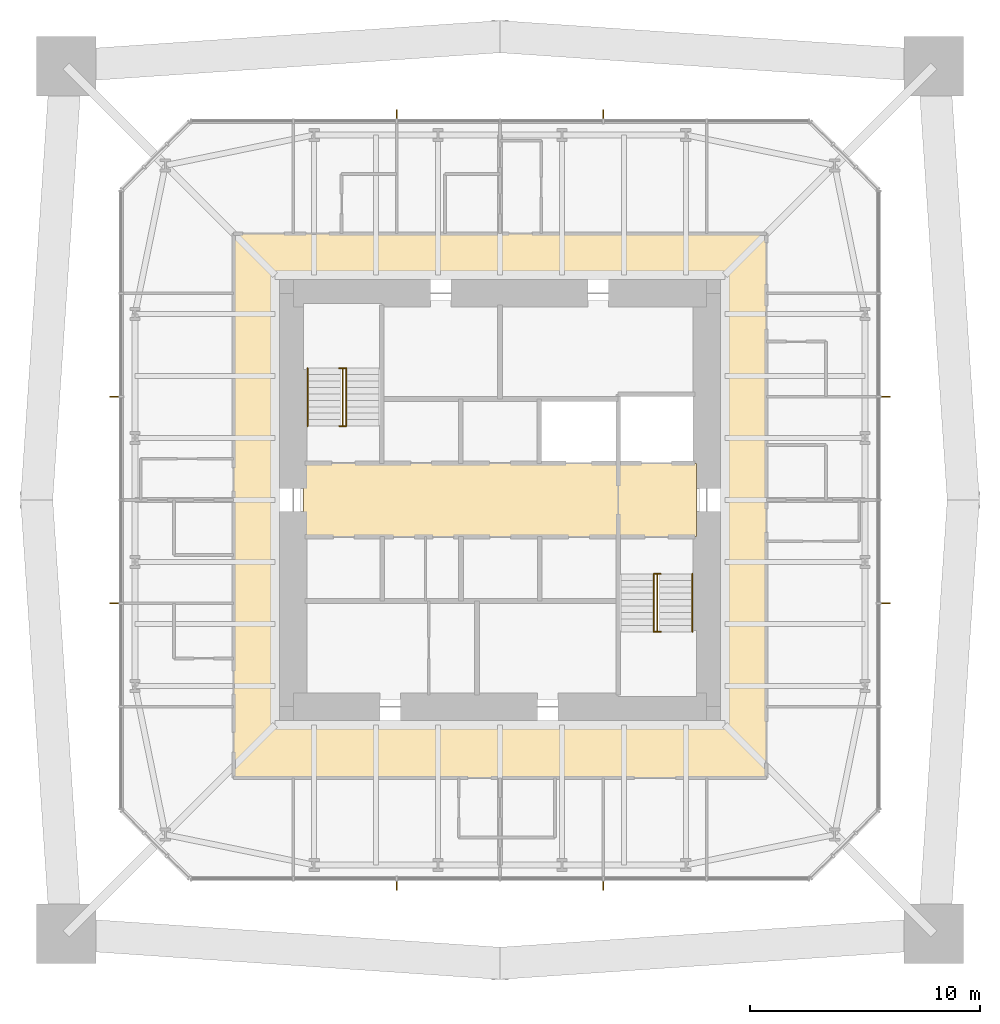
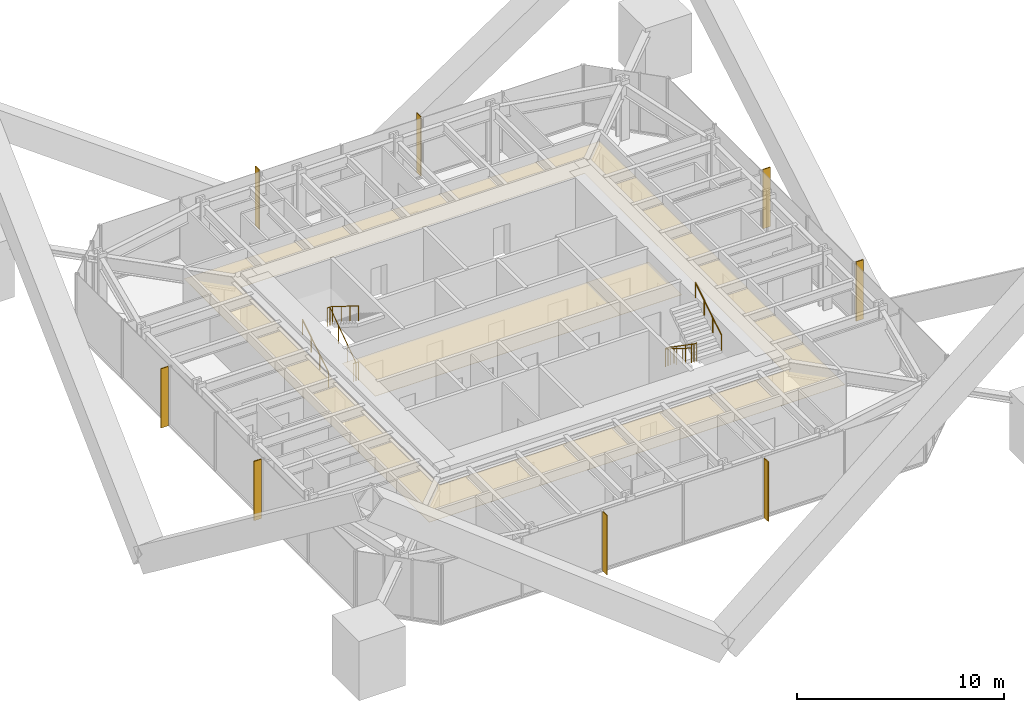
# One storey, part 11 of 11: 8 shading devices, 6 railings, 3 coverings.
"""IFC4 building model written with IfcOpenShell, lengths in metres."""

from ifc_helpers import new_model, si_unit, direction, frame, origin, origin_2d, place, context, subcontext, project, spatial, polyline, rectangle, circle, outline, extrude, material, layer, layer_set, constituent, constituent_set, type_object, element, save


model = new_model("IFC4")

# Units and contexts
model_context = context("Model", 3, precision=1e-05, world=origin(), true_north=direction((0.0, 1.0)))
body_context = subcontext(model_context, "Body", "Model", "MODEL_VIEW")
ifc_project = project(units=[si_unit("LENGTHUNIT", "METRE"), si_unit("AREAUNIT", "SQUARE_METRE"), si_unit("VOLUMEUNIT", "CUBIC_METRE"), si_unit("PLANEANGLEUNIT", "RADIAN"), si_unit("MASSUNIT", "GRAM", prefix="KILO")], contexts=[model_context])

# Site, building, storey
site_placement = place(None, origin())
site = spatial("IfcSite", under=ifc_project, at=site_placement, CompositionType="ELEMENT")
building_placement = place(site_placement, origin())
building = spatial("IfcBuilding", under=site, at=building_placement, Name="Iwan Alto Co-Living Towers", CompositionType="ELEMENT")
storey_placement = place(building_placement, frame((0.0, 0.0, 229.0)))
storey = spatial("IfcBuildingStorey", under=building, at=storey_placement, Name="L62", CompositionType="ELEMENT", Elevation=229.0)

# Coverings
ifc_material_1 = material(Name="Mineral fibre acoustic tiles on steel grid", Category="steel")
ifc_layer_1 = layer(ifc_material_1, 0.02001953125)
ifc_layer_set_1 = layer_set([ifc_layer_1], Name="ACOUSTIC TILE CEILING 20")
covering_type_1 = type_object("IfcCoveringType", Name="ACOUSTIC TILE CEILING 20", PredefinedType="CEILING", material=ifc_layer_set_1)
covering_1_placement = place(storey_placement, frame((0.0, 0.0, 2.60009765625)))
element("IfcCovering", 1, at=covering_1_placement, inside=storey, type_object=covering_type_1, Name="Ceiling Lift lobby L62", PredefinedType="CEILING", context=body_context, shape_type="SweptSolid", body=[
    extrude(outline(polyline([(-8.550048828125, -1.60009765625), (-8.550048828125, 1.60009765625), (5.14990234375, 1.60009765625), (5.14990234375, -1.60009765625), (-8.550048828125, -1.60009765625)])), origin(), (0.0, 0.0, 1.0), 0.02001953125),
])
covering_2_placement = place(storey_placement, frame((0.0, 0.0, 2.60009765625)))
element("IfcCovering", 2, at=covering_2_placement, inside=storey, type_object=covering_type_1, Name="Ceiling Firefighting lobby L62", PredefinedType="CEILING", context=body_context, shape_type="SweptSolid", body=[
    extrude(outline(polyline([(5.14990234375, -1.60009765625), (5.14990234375, 1.60009765625), (8.550048828125, 1.60009765625), (8.550048828125, -1.60009765625), (5.14990234375, -1.60009765625)])), origin(), (0.0, 0.0, 1.0), 0.02001953125),
])

# Shading devices
ifc_material_2 = material(Name="Aluminium 6063-T6 bronze anodised", Category="aluminium")
ifc_layer_2 = layer(ifc_material_2, 0.050048828125)
ifc_layer_set_2 = layer_set([ifc_layer_2], Name="BRONZE FIN 50X400")
shading_device_type = type_object("IfcShadingDeviceType", Name="BRONZE FIN 50X400", PredefinedType="USERDEFINED", material=ifc_layer_set_2)
for number, where, z_axis, x_axis, name in (
    (3, (-4.5, -16.800048828125, 0.0), (0.0, 0.0, 1.0), (1.0, 0.0, 0.0), "Bronze fin L62"),
    (4, (4.5, -16.800048828125, 0.0), (0.0, 0.0, 1.0), (1.0, 0.0, 0.0), "Bronze fin L62"),
    (5, (16.800048828125, -4.5, 0.0), (0.0, 0.0, 1.0), (0.0, 1.0, 0.0), "Bronze fin L62"),
    (6, (16.800048828125, 4.5, 0.0), (0.0, 0.0, 1.0), (0.0, 1.0, 0.0), "Bronze fin L62"),
    (7, (4.5, 16.800048828125, 0.0), (0.0, 0.0, 1.0), (-1.0, 0.0, 0.0), "Bronze fin L62"),
    (8, (-4.5, 16.800048828125, 0.0), (0.0, 0.0, 1.0), (-1.0, 0.0, 0.0), "Bronze fin L62"),
    (9, (-16.800048828125, 4.5, 0.0), (0.0, 0.0, 1.0), (0.0, -1.0, 0.0), "Bronze fin L62"),
    (10, (-16.800048828125, -4.5, 0.0), (0.0, 0.0, 1.0), (0.0, -1.0, 0.0), "Bronze fin L62"),
):
    element("IfcShadingDevice", number, at=place(storey_placement, frame(where, z_axis=z_axis, x_axis=x_axis)), inside=storey, type_object=shading_device_type, Name=name, ObjectType="LOUVER", PredefinedType="USERDEFINED", context=body_context, shape_type="SweptSolid", body=[
        extrude(rectangle(XDim=0.050048828125, YDim=0.39990234375, at=origin_2d()), origin(), (0.0, 0.0, 1.0), 3.5),
    ])

# Railings
ifc_material_3 = material(Name="Steel ASTM A500 Gr C", Category="steel")
ifc_constituent_1 = constituent(ifc_material_3, Name="Rails and posts", Category="Framing")
ifc_material_4 = material(Name="Steel ASTM A36", Category="steel")
ifc_constituent_2 = constituent(ifc_material_4, Name="Bar infill", Category="Infill")
ifc_constituent_set = constituent_set(constituents=[ifc_constituent_1, ifc_constituent_2], Name="STAIR GUARD 1100")
railing_type_1 = type_object("IfcRailingType", Name="STAIR GUARD 1100", PredefinedType="GUARDRAIL", material=ifc_constituent_set)
railing_1_placement = place(storey_placement, frame((-6.85009765625, 3.219970703125, 0.0)))
element("IfcRailing", 11, at=railing_1_placement, inside=storey, type_object=railing_type_1, Name="Stair T1-S1 well guard L62", PredefinedType="GUARDRAIL", context=body_context, shape_type="SweptSolid", body=[
    extrude(circle(Radius=0.02392578125, at=origin_2d()), frame((0.0, 0.0, 1.076171875), z_axis=(0.0, 0.821372036852, 0.570392826987), x_axis=(-1.0, 0.0, 0.0)), (0.0, 0.0, 1.0), 3.068115234375),
    extrude(circle(Radius=0.02392578125, at=origin_2d()), frame((-0.14990234375, 0.0, 1.076171875), z_axis=(1.0, 0.0, 0.0), x_axis=(0.0, 1.0, 0.0)), (0.0, 0.0, 1.0), 0.300048828125),
    extrude(circle(Radius=0.02392578125, at=origin_2d()), frame((-0.14990234375, 2.52001953125, 2.826171875), z_axis=(1.0, 0.0, 0.0), x_axis=(0.0, 1.0, 0.0)), (0.0, 0.0, 1.0), 0.300048828125),
    extrude(circle(Radius=0.02099609375, at=origin_2d()), origin(), (0.0, 0.0, 1.0), 1.052001953125),
    extrude(circle(Radius=0.02099609375, at=origin_2d()), frame((0.0, 0.840087890625, 0.583251953125)), (0.0, 0.0, 1.0), 1.052001953125),
    extrude(circle(Radius=0.02099609375, at=origin_2d()), frame((0.0, 1.679931640625, 1.166748046875)), (0.0, 0.0, 1.0), 1.052001953125),
    extrude(circle(Radius=0.02099609375, at=origin_2d()), frame((0.0, 2.52001953125, 1.75)), (0.0, 0.0, 1.0), 1.052001953125),
    extrude(circle(Radius=0.02099609375, at=origin_2d()), frame((-0.14990234375, 0.0, 0.0)), (0.0, 0.0, 1.0), 1.052001953125),
    extrude(circle(Radius=0.02099609375, at=origin_2d()), frame((0.150146484375, 0.0, 0.0)), (0.0, 0.0, 1.0), 1.052001953125),
    extrude(circle(Radius=0.02099609375, at=origin_2d()), frame((-0.14990234375, 2.52001953125, 1.75)), (0.0, 0.0, 1.0), 1.052001953125),
    extrude(circle(Radius=0.02099609375, at=origin_2d()), frame((0.150146484375, 2.52001953125, 1.75)), (0.0, 0.0, 1.0), 1.052001953125),
])
railing_2_placement = place(storey_placement, frame((6.85009765625, -3.219970703125, 0.0)))
element("IfcRailing", 12, at=railing_2_placement, inside=storey, type_object=railing_type_1, Name="Stair T1-S2 well guard L62", PredefinedType="GUARDRAIL", context=body_context, shape_type="SweptSolid", body=[
    extrude(circle(Radius=0.02392578125, at=origin_2d()), frame((0.0, 0.0, 1.076171875), z_axis=(0.0, -0.821372036852, 0.570392826987), x_axis=(1.0, 0.0, 0.0)), (0.0, 0.0, 1.0), 3.068115234375),
    extrude(circle(Radius=0.02392578125, at=origin_2d()), frame((-0.150146484375, 0.0, 1.076171875), z_axis=(1.0, 0.0, 0.0), x_axis=(0.0, 1.0, 0.0)), (0.0, 0.0, 1.0), 0.300048828125),
    extrude(circle(Radius=0.02392578125, at=origin_2d()), frame((-0.150146484375, -2.52001953125, 2.826171875), z_axis=(1.0, 0.0, 0.0), x_axis=(0.0, 1.0, 0.0)), (0.0, 0.0, 1.0), 0.300048828125),
    extrude(circle(Radius=0.02099609375, at=origin_2d()), origin(), (0.0, 0.0, 1.0), 1.052001953125),
    extrude(circle(Radius=0.02099609375, at=origin_2d()), frame((0.0, -0.840087890625, 0.583251953125)), (0.0, 0.0, 1.0), 1.052001953125),
    extrude(circle(Radius=0.02099609375, at=origin_2d()), frame((0.0, -1.679931640625, 1.166748046875)), (0.0, 0.0, 1.0), 1.052001953125),
    extrude(circle(Radius=0.02099609375, at=origin_2d()), frame((0.0, -2.52001953125, 1.75)), (0.0, 0.0, 1.0), 1.052001953125),
    extrude(circle(Radius=0.02099609375, at=origin_2d()), frame((-0.150146484375, 0.0, 0.0)), (0.0, 0.0, 1.0), 1.052001953125),
    extrude(circle(Radius=0.02099609375, at=origin_2d()), frame((0.14990234375, 0.0, 0.0)), (0.0, 0.0, 1.0), 1.052001953125),
    extrude(circle(Radius=0.02099609375, at=origin_2d()), frame((-0.150146484375, -2.52001953125, 1.75)), (0.0, 0.0, 1.0), 1.052001953125),
    extrude(circle(Radius=0.02099609375, at=origin_2d()), frame((0.14990234375, -2.52001953125, 1.75)), (0.0, 0.0, 1.0), 1.052001953125),
])
ifc_material_5 = material(Name="Steel ASTM A500 Gr C", Category="steel")
railing_type_2 = type_object("IfcRailingType", Name="STAIR HANDRAIL 900", PredefinedType="HANDRAIL", material=ifc_material_5)
railing_3_placement = place(storey_placement, frame((-8.3798828125, 3.219970703125, 0.175048828125)))
element("IfcRailing", 13, at=railing_3_placement, inside=storey, type_object=railing_type_2, Name="Stair T1-S1 handrail 1 L62", PredefinedType="HANDRAIL", context=body_context, shape_type="SweptSolid", body=[
    extrude(circle(Radius=0.02392578125, at=origin_2d()), frame((0.0, 0.0, 0.8759765625), z_axis=(0.0, 0.848007534815, 0.529984170421), x_axis=(-1.0, 0.0, 0.0)), (0.0, 0.0, 1.0), 2.9716796875),
    extrude(circle(Radius=0.02099609375, at=origin_2d()), origin(), (0.0, 0.0, 1.0), 0.851806640625),
    extrude(circle(Radius=0.02099609375, at=origin_2d()), frame((0.0, 0.840087890625, 0.52490234375)), (0.0, 0.0, 1.0), 0.851806640625),
    extrude(circle(Radius=0.02099609375, at=origin_2d()), frame((0.0, 1.679931640625, 1.050048828125)), (0.0, 0.0, 1.0), 0.851806640625),
    extrude(circle(Radius=0.02099609375, at=origin_2d()), frame((0.0, 2.52001953125, 1.574951171875)), (0.0, 0.0, 1.0), 0.851806640625),
])
for number, where, name in (
    (14, (-6.699951171875, 5.739990234375, 1.925048828125), "Stair T1-S1 handrail 2 L62"),
    (15, (6.699951171875, -3.219970703125, 0.175048828125), "Stair T1-S2 handrail 1 L62"),
):
    element("IfcRailing", number, at=place(storey_placement, frame(where)), inside=storey, type_object=railing_type_2, Name=name, PredefinedType="HANDRAIL", context=body_context, shape_type="SweptSolid", body=[
        extrude(circle(Radius=0.02392578125, at=origin_2d()), frame((0.0, 0.0, 0.8759765625), z_axis=(0.0, -0.848007534815, 0.529984170421), x_axis=(1.0, 0.0, 0.0)), (0.0, 0.0, 1.0), 2.9716796875),
        extrude(circle(Radius=0.02099609375, at=origin_2d()), origin(), (0.0, 0.0, 1.0), 0.851806640625),
        extrude(circle(Radius=0.02099609375, at=origin_2d()), frame((0.0, -0.840087890625, 0.52490234375)), (0.0, 0.0, 1.0), 0.851806640625),
        extrude(circle(Radius=0.02099609375, at=origin_2d()), frame((0.0, -1.679931640625, 1.050048828125)), (0.0, 0.0, 1.0), 0.851806640625),
        extrude(circle(Radius=0.02099609375, at=origin_2d()), frame((0.0, -2.52001953125, 1.574951171875)), (0.0, 0.0, 1.0), 0.851806640625),
    ])
railing_4_placement = place(storey_placement, frame((8.3798828125, -5.739990234375, 1.925048828125)))
element("IfcRailing", 16, at=railing_4_placement, inside=storey, type_object=railing_type_2, Name="Stair T1-S2 handrail 2 L62", PredefinedType="HANDRAIL", context=body_context, shape_type="SweptSolid", body=[
    extrude(circle(Radius=0.02392578125, at=origin_2d()), frame((0.0, 0.0, 0.8759765625), z_axis=(0.0, 0.848007534815, 0.529984170421), x_axis=(-1.0, 0.0, 0.0)), (0.0, 0.0, 1.0), 2.9716796875),
    extrude(circle(Radius=0.02099609375, at=origin_2d()), origin(), (0.0, 0.0, 1.0), 0.851806640625),
    extrude(circle(Radius=0.02099609375, at=origin_2d()), frame((0.0, 0.840087890625, 0.52490234375)), (0.0, 0.0, 1.0), 0.851806640625),
    extrude(circle(Radius=0.02099609375, at=origin_2d()), frame((0.0, 1.679931640625, 1.050048828125)), (0.0, 0.0, 1.0), 0.851806640625),
    extrude(circle(Radius=0.02099609375, at=origin_2d()), frame((0.0, 2.52001953125, 1.574951171875)), (0.0, 0.0, 1.0), 0.851806640625),
])

# Covering
ifc_material_6 = material(Name="Gypsum plasterboard on steel grid", Category="steel")
ifc_layer_3 = layer(ifc_material_6, 0.014892578125)
ifc_layer_set_3 = layer_set([ifc_layer_3], Name="SUSPENDED PLASTERBOARD CEILING 15")
covering_type_2 = type_object("IfcCoveringType", Name="SUSPENDED PLASTERBOARD CEILING 15", PredefinedType="CEILING", material=ifc_layer_set_3)
covering_3_placement = place(storey_placement, frame((0.0, 0.0, 2.60009765625)))
element("IfcCovering", 17, at=covering_3_placement, inside=storey, type_object=covering_type_2, Name="Ceiling Corridor L62", PredefinedType="CEILING", context=body_context, shape_type="SweptSolid", body=[
    extrude(outline(polyline([(-11.60009765625, 11.60009765625), (11.60009765625, 11.60009765625), (11.60009765625, -12.10009765625), (-11.60009765625, -12.10009765625), (-11.60009765625, 11.60009765625)]), holes=[polyline([(-9.60009765625, 9.60009765625), (-9.60009765625, -9.60009765625), (9.60009765625, -9.60009765625), (9.60009765625, 9.60009765625), (-9.60009765625, 9.60009765625)])]), origin(), (0.0, 0.0, 1.0), 0.014892578125),
])

save(model, "model.ifc")
